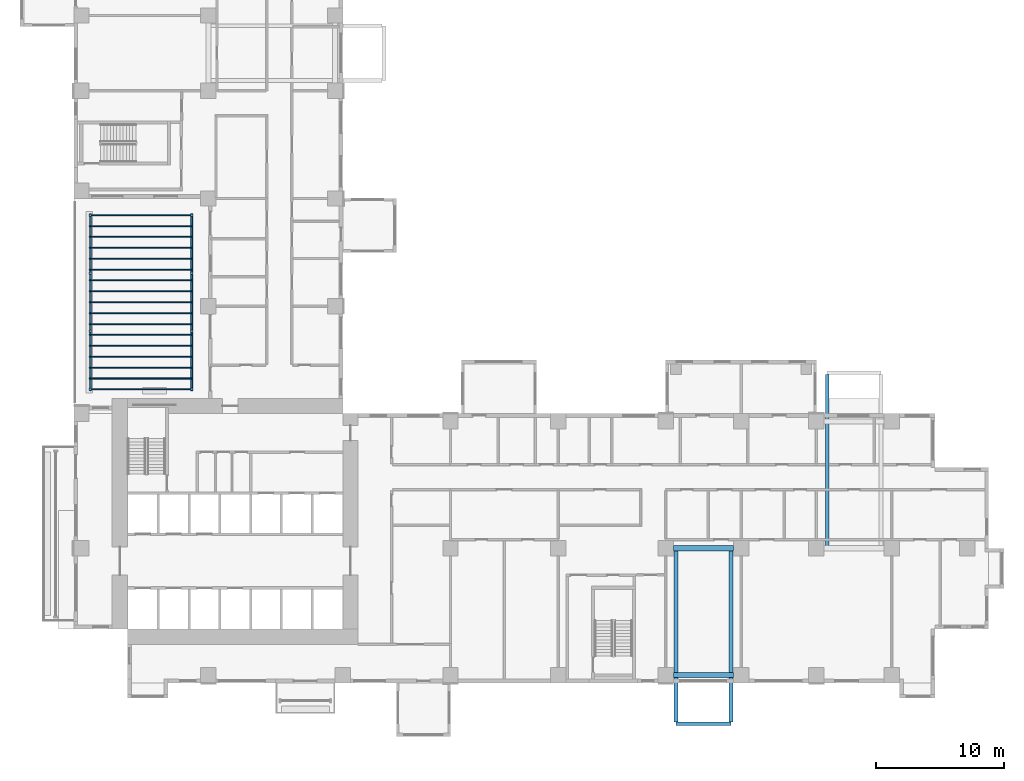
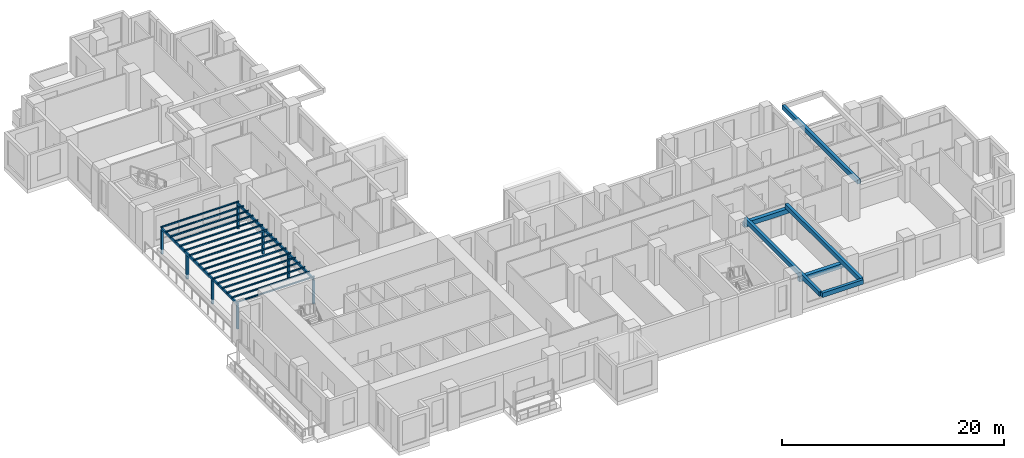
# One storey, part 2 of 17: 27 members, 6 beams.
"""IFC4 building model written with IfcOpenShell, lengths in metres."""

from ifc_helpers import new_model, si_unit, direction, frame, origin, origin_2d, place, context, subcontext, project, spatial, rectangle, extrude, source, transform, mapped, material, material_profile, profile_set, type_object, element, save


model = new_model("IFC4")

# Units and contexts
model_context = context("Model", 3, precision=1e-05, world=origin(), true_north=direction((0.0, 1.0)))
body_context = subcontext(model_context, "Body", "Model", "MODEL_VIEW")
ifc_project = project(units=[si_unit("LENGTHUNIT", "METRE"), si_unit("AREAUNIT", "SQUARE_METRE"), si_unit("VOLUMEUNIT", "CUBIC_METRE"), si_unit("PLANEANGLEUNIT", "RADIAN"), si_unit("MASSUNIT", "GRAM", prefix="KILO")], contexts=[model_context])

# Site, building, storey
site_placement = place(None, origin())
site = spatial("IfcSite", under=ifc_project, at=site_placement, CompositionType="ELEMENT")
building_placement = place(site_placement, origin())
building = spatial("IfcBuilding", under=site, at=building_placement, Name="Aurelian Terraces", CompositionType="ELEMENT")
storey_placement = place(building_placement, frame((0.0, 0.0, 69.9)))
storey = spatial("IfcBuildingStorey", under=building, at=storey_placement, Name="L14", CompositionType="ELEMENT", Elevation=69.9)

# Member
ifc_material_1 = material(Name="Anodised aluminium", Category="aluminium")
ifc_material_profile_1 = material_profile(ifc_material_1, rectangle(XDim=0.15, YDim=0.25, at=origin_2d()))
ifc_profile_set_1 = profile_set([ifc_material_profile_1], Name="Anodised aluminium")
member_type_1 = type_object("IfcMemberType", Name="PERGOLA BEAM 150X250", PredefinedType="PURLIN", material=ifc_profile_set_1)
member_1_placement = place(storey_placement, frame((1.3, 22.8, 2.725), z_axis=(0.0, 1.0, 0.0), x_axis=(-1.0, 0.0, 0.0)))
element("IfcMember", 1, at=member_1_placement, inside=storey, type_object=member_type_1, Name="Pergola beam L14 SKY-02-T1.1", PredefinedType="PURLIN", context=body_context, shape_type="SweptSolid", body=[
    extrude(rectangle(XDim=0.15, YDim=0.25, at=origin_2d()), origin(), (0.0, 0.0, 1.0), 13.8),
])

# Beams
ifc_material_2 = material(Name="Concrete fc' 40 MPa", Category="concrete")
ifc_material_profile_2 = material_profile(ifc_material_2, rectangle(XDim=0.4, YDim=0.5, at=origin_2d()))
ifc_profile_set_2 = profile_set([ifc_material_profile_2], Name="Concrete fc' 40 MPa")
beam_type_1 = type_object("IfcBeamType", Name="CONCRETE EDGE GIRDER 400X500", PredefinedType="BEAM", material=ifc_profile_set_2)
shared_shape_1 = source(origin(), body_context, "Body", "SweptSolid", [
    extrude(rectangle(XDim=0.4, YDim=0.5, at=origin_2d()), origin(), (0.0, 0.0, 1.0), 4.68),
])
for number, where, z_axis, x_axis, name in (
    (2, (46.8, 0.6, 3.05), (1.0, 0.0, 0.0), (0.0, 1.0, 0.0), "Box girder L14 O35"),
    (3, (46.8, 10.5, 3.05), (1.0, 0.0, 0.0), (0.0, 1.0, 0.0), "Box girder L14 I36"),
):
    element("IfcBeam", number, at=place(storey_placement, frame(where, z_axis=z_axis, x_axis=x_axis)), inside=storey, type_object=beam_type_1, Name=name, PredefinedType="BEAM", context=body_context, shape_type="MappedRepresentation", body=[
        mapped(shared_shape_1, transform((0.0, 0.0, 0.0), scale=1.0)),
    ])
ifc_material_profile_3 = material_profile(ifc_material_2, rectangle(XDim=0.3, YDim=0.5, at=origin_2d()))
ifc_profile_set_3 = profile_set([ifc_material_profile_3], Name="Concrete fc' 40 MPa")
beam_type_2 = type_object("IfcBeamType", Name="CONCRETE CANTILEVER BEAM 300X500", PredefinedType="BEAM", material=ifc_profile_set_3)
shared_shape_2 = source(origin(), body_context, "Body", "SweptSolid", [
    extrude(rectangle(XDim=0.3, YDim=0.5, at=origin_2d()), origin(), (0.0, 0.0, 1.0), 13.55),
])
for number, where, z_axis, x_axis, name in (
    (4, (47.0, -3.05, 3.55), (0.0, 1.0, 0.0), (-1.0, 0.0, 0.0), "Box cantilever beam J16.1"),
    (5, (51.28, -3.05, 3.55), (0.0, 1.0, 0.0), (-1.0, 0.0, 0.0), "Box cantilever beam J16.2"),
    (6, (58.8, 24.05, 3.55), (0.0, -1.0, 0.0), (1.0, 0.0, 0.0), "Box cantilever beam J17.1"),
):
    element("IfcBeam", number, at=place(storey_placement, frame(where, z_axis=z_axis, x_axis=x_axis)), inside=storey, type_object=beam_type_2, Name=name, PredefinedType="BEAM", context=body_context, shape_type="MappedRepresentation", body=[
        mapped(shared_shape_2, transform((0.0, 0.0, 0.0), scale=1.0)),
    ])
shared_shape_3 = source(origin(), body_context, "Body", "SweptSolid", [
    extrude(rectangle(XDim=0.3, YDim=0.5, at=origin_2d()), origin(), (0.0, 0.0, 1.0), 4.28),
])
beam_placement = place(storey_placement, frame((47.0, -3.2, 3.55), z_axis=(1.0, 0.0, 0.0), x_axis=(0.0, 1.0, 0.0)))
element("IfcBeam", 7, at=beam_placement, inside=storey, type_object=beam_type_2, Name="Box tip beam J16", PredefinedType="BEAM", context=body_context, shape_type="MappedRepresentation", body=[
    mapped(shared_shape_3, transform((0.0, 0.0, 0.0), scale=1.0)),
])

# Members
ifc_material_profile_4 = material_profile(ifc_material_1, rectangle(XDim=0.2, YDim=0.2, at=origin_2d()))
ifc_profile_set_4 = profile_set([ifc_material_profile_4], Name="Anodised aluminium")
member_type_2 = type_object("IfcMemberType", Name="PERGOLA POST 200X200", PredefinedType="POST", material=ifc_profile_set_4)
shared_shape_4 = source(origin(), body_context, "Body", "SweptSolid", [
    extrude(rectangle(XDim=0.2, YDim=0.2, at=origin_2d()), origin(), (0.0, 0.0, 1.0), 2.6),
])
for number, where, z_axis, x_axis, name in (
    (8, (1.3, 22.9, 0.0), (0.0, 0.0, 1.0), (1.0, 0.0, 0.0), "Pergola post L14 SKY-02-T1.1.1"),
    (9, (9.2, 22.9, 0.0), (0.0, 0.0, 1.0), (1.0, 0.0, 0.0), "Pergola post L14 SKY-02-T1.1.2"),
    (10, (1.3, 27.4333, 0.0), (0.0, 0.0, 1.0), (1.0, 0.0, 0.0), "Pergola post L14 SKY-02-T1.2.1"),
    (11, (9.2, 27.4333, 0.0), (0.0, 0.0, 1.0), (1.0, 0.0, 0.0), "Pergola post L14 SKY-02-T1.2.2"),
    (12, (1.3, 31.9667, 0.0), (0.0, 0.0, 1.0), (1.0, 0.0, 0.0), "Pergola post L14 SKY-02-T1.3.1"),
    (13, (9.2, 31.9667, 0.0), (0.0, 0.0, 1.0), (1.0, 0.0, 0.0), "Pergola post L14 SKY-02-T1.3.2"),
    (14, (1.3, 36.5, 0.0), (0.0, 0.0, 1.0), (1.0, 0.0, 0.0), "Pergola post L14 SKY-02-T1.4.1"),
    (15, (9.2, 36.5, 0.0), (0.0, 0.0, 1.0), (1.0, 0.0, 0.0), "Pergola post L14 SKY-02-T1.4.2"),
):
    element("IfcMember", number, at=place(storey_placement, frame(where, z_axis=z_axis, x_axis=x_axis)), inside=storey, type_object=member_type_2, Name=name, PredefinedType="POST", context=body_context, shape_type="MappedRepresentation", body=[
        mapped(shared_shape_4, transform((0.0, 0.0, 0.0), scale=1.0)),
    ])
ifc_material_profile_5 = material_profile(ifc_material_1, rectangle(XDim=0.08, YDim=0.15, at=origin_2d()))
ifc_profile_set_5 = profile_set([ifc_material_profile_5], Name="Anodised aluminium")
member_type_3 = type_object("IfcMemberType", Name="PERGOLA RAFTER 80X150", PredefinedType="RAFTER", material=ifc_profile_set_5)
shared_shape_5 = source(origin(), body_context, "Body", "SweptSolid", [
    extrude(rectangle(XDim=0.08, YDim=0.15, at=origin_2d()), origin(), (0.0, 0.0, 1.0), 8.1),
])
for number, where, z_axis, x_axis, name in (
    (16, (1.2, 22.9, 2.925), (1.0, 0.0, 0.0), (0.0, 1.0, 0.0), "Pergola rafter L14 SKY-02-T1.1"),
    (17, (1.2, 23.75, 2.925), (1.0, 0.0, 0.0), (0.0, 1.0, 0.0), "Pergola rafter L14 SKY-02-T1.2"),
    (18, (1.2, 24.6, 2.925), (1.0, 0.0, 0.0), (0.0, 1.0, 0.0), "Pergola rafter L14 SKY-02-T1.3"),
    (19, (1.2, 25.45, 2.925), (1.0, 0.0, 0.0), (0.0, 1.0, 0.0), "Pergola rafter L14 SKY-02-T1.4"),
    (20, (1.2, 26.3, 2.925), (1.0, 0.0, 0.0), (0.0, 1.0, 0.0), "Pergola rafter L14 SKY-02-T1.5"),
    (21, (1.2, 27.15, 2.925), (1.0, 0.0, 0.0), (0.0, 1.0, 0.0), "Pergola rafter L14 SKY-02-T1.6"),
    (22, (1.2, 28.0, 2.925), (1.0, 0.0, 0.0), (0.0, 1.0, 0.0), "Pergola rafter L14 SKY-02-T1.7"),
    (23, (1.2, 28.85, 2.925), (1.0, 0.0, 0.0), (0.0, 1.0, 0.0), "Pergola rafter L14 SKY-02-T1.8"),
    (24, (1.2, 29.7, 2.925), (1.0, 0.0, 0.0), (0.0, 1.0, 0.0), "Pergola rafter L14 SKY-02-T1.9"),
    (25, (1.2, 30.55, 2.925), (1.0, 0.0, 0.0), (0.0, 1.0, 0.0), "Pergola rafter L14 SKY-02-T1.10"),
    (26, (1.2, 31.4, 2.925), (1.0, 0.0, 0.0), (0.0, 1.0, 0.0), "Pergola rafter L14 SKY-02-T1.11"),
    (27, (1.2, 32.25, 2.925), (1.0, 0.0, 0.0), (0.0, 1.0, 0.0), "Pergola rafter L14 SKY-02-T1.12"),
    (28, (1.2, 33.1, 2.925), (1.0, 0.0, 0.0), (0.0, 1.0, 0.0), "Pergola rafter L14 SKY-02-T1.13"),
    (29, (1.2, 33.95, 2.925), (1.0, 0.0, 0.0), (0.0, 1.0, 0.0), "Pergola rafter L14 SKY-02-T1.14"),
    (30, (1.2, 34.8, 2.925), (1.0, 0.0, 0.0), (0.0, 1.0, 0.0), "Pergola rafter L14 SKY-02-T1.15"),
    (31, (1.2, 35.65, 2.925), (1.0, 0.0, 0.0), (0.0, 1.0, 0.0), "Pergola rafter L14 SKY-02-T1.16"),
    (32, (1.2, 36.5, 2.925), (1.0, 0.0, 0.0), (0.0, 1.0, 0.0), "Pergola rafter L14 SKY-02-T1.17"),
):
    element("IfcMember", number, at=place(storey_placement, frame(where, z_axis=z_axis, x_axis=x_axis)), inside=storey, type_object=member_type_3, Name=name, PredefinedType="RAFTER", context=body_context, shape_type="MappedRepresentation", body=[
        mapped(shared_shape_5, transform((0.0, 0.0, 0.0), scale=1.0)),
    ])
shared_shape_6 = source(origin(), body_context, "Body", "SweptSolid", [
    extrude(rectangle(XDim=0.15, YDim=0.25, at=origin_2d()), origin(), (0.0, 0.0, 1.0), 13.8),
])
member_2_placement = place(storey_placement, frame((9.2, 22.8, 2.725), z_axis=(0.0, 1.0, 0.0), x_axis=(-1.0, 0.0, 0.0)))
element("IfcMember", 33, at=member_2_placement, inside=storey, type_object=member_type_1, Name="Pergola beam L14 SKY-02-T1.2", PredefinedType="PURLIN", context=body_context, shape_type="MappedRepresentation", body=[
    mapped(shared_shape_6, transform((0.0, 0.0, 0.0), scale=1.0)),
])

save(model, "model.ifc")
